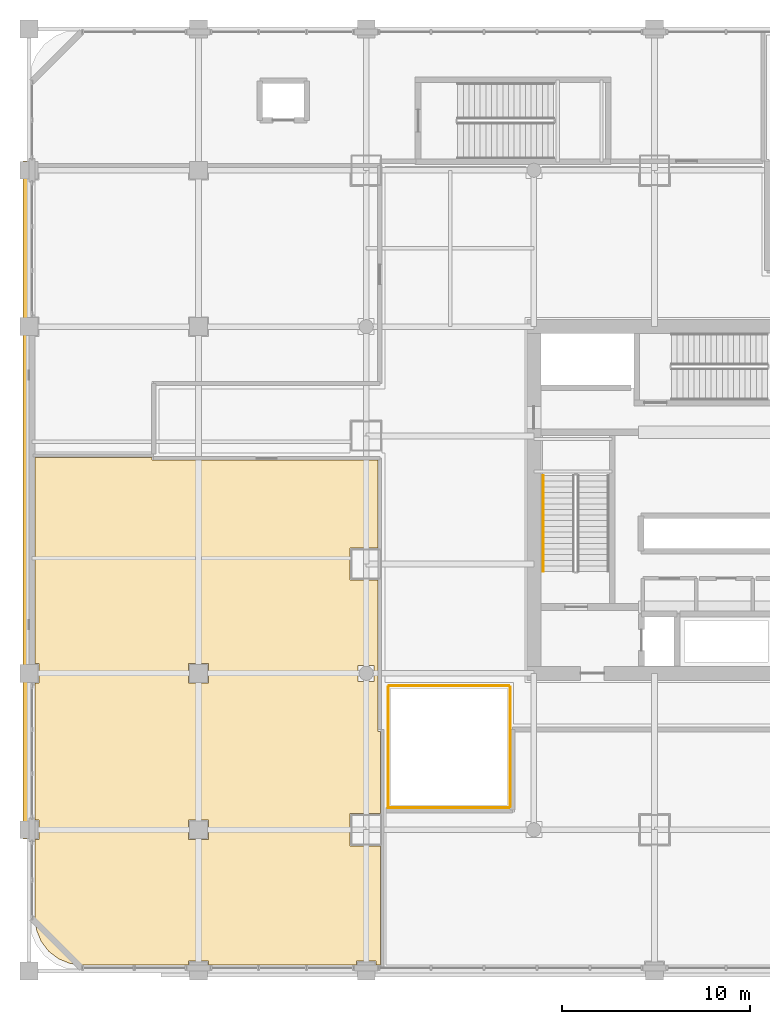
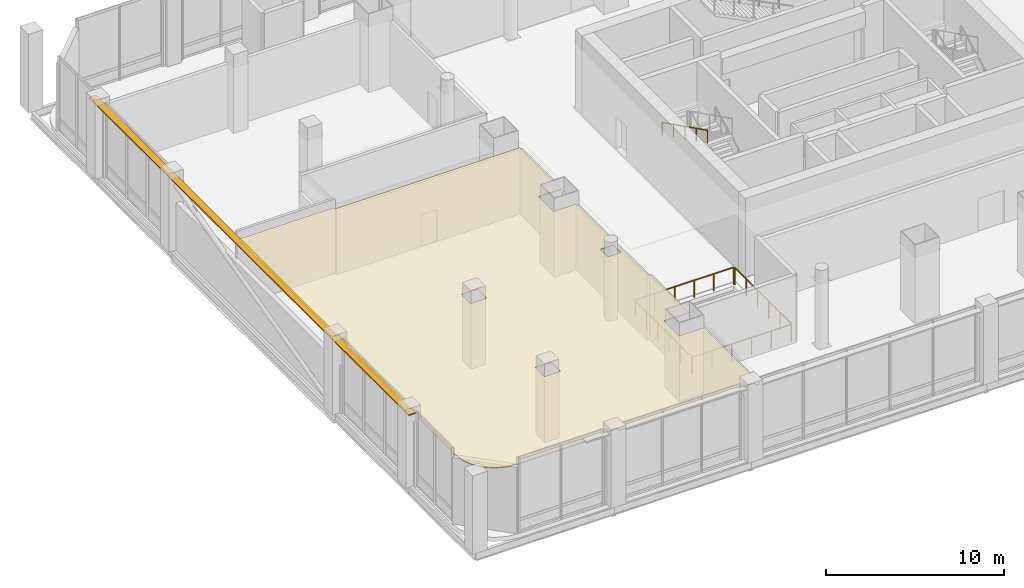
# One storey, part 30 of 39: 5 railings, 1 covering, 1 shading device.
"""IFC4 building model written with IfcOpenShell, lengths in metres."""

import ifcopenshell
import ifcopenshell.guid

model = None  # the IFC model being written
_history = None  # IfcOwnerHistory: only IFC2X3 demands one
_inside = {}  # id of a spatial element -> (the spatial element, [elements in it])
_under = {}  # id of a project, library or spatial element -> (it, [spatial elements below it])
_declared = {}  # id of a project -> (the project, [libraries it declares])
_typed = {}  # id of a type object -> (the type object, [elements of that type])
_made_of = {}  # id of a material, layer set ... -> (it, [elements and type objects made of it])


def new_model(schema):
    """Start an empty IFC model of exactly this schema.

    Asked for "IFC4X3", IfcOpenShell would pick the latest addendum, in which some entities
    have other attributes; the version numbers below select the first issue.
    IFC2X3 requires an IfcOwnerHistory on every rooted entity: one is made here for all.
    """
    global model, _history
    if schema == "IFC4X3":
        model = ifcopenshell.file(schema_version=(4, 3, 0, 0))
    else:
        model = ifcopenshell.file(schema=schema)
    _inside.clear()
    _under.clear()
    _declared.clear()
    _typed.clear()
    _made_of.clear()
    _history = None
    if model.schema == "IFC2X3":
        org = make("IfcOrganization", Name="unknown")
        user = make(
            "IfcPersonAndOrganization",
            ThePerson=make("IfcPerson", FamilyName="unknown"),
            TheOrganization=org,
        )
        app = make(
            "IfcApplication",
            ApplicationDeveloper=org,
            Version="unknown",
            ApplicationFullName="unknown",
            ApplicationIdentifier="unknown",
        )
        _history = make(
            "IfcOwnerHistory",
            OwningUser=user,
            OwningApplication=app,
            ChangeAction="ADDED",
            CreationDate=0,
        )
    return model


def make(cls, **values):
    """One entity of the class cls with the attributes given. An attribute that is None is left unset."""
    return model.create_entity(
        cls, **{name: value for name, value in values.items() if value is not None}
    )


def rooted(cls, **values):
    """An entity with a GlobalId (a new one), such as an element, a storey or a relation."""
    return make(cls, GlobalId=ifcopenshell.guid.new(), OwnerHistory=_history, **values)


def si_unit(unit_type, name, prefix=None):
    """IfcSIUnit, for example si_unit("LENGTHUNIT", "METRE", prefix="MILLI")."""
    return make("IfcSIUnit", UnitType=unit_type, Prefix=prefix, Name=name)


def assignment(units):
    """IfcUnitAssignment: the units of a project."""
    return None if units is None else make("IfcUnitAssignment", Units=units)


def point(xyz):
    """IfcCartesianPoint."""
    return None if xyz is None else make("IfcCartesianPoint", Coordinates=xyz)


def direction(xyz):
    """IfcDirection."""
    return None if xyz is None else make("IfcDirection", DirectionRatios=xyz)


def frame(location, z_axis=None, x_axis=None):
    """IfcAxis2Placement3D, a coordinate frame: its origin and axes. An axis left out is left unset."""
    return make(
        "IfcAxis2Placement3D",
        Location=point(location),
        Axis=direction(z_axis),
        RefDirection=direction(x_axis),
    )


def frame_2d(location, x_axis=None):
    """IfcAxis2Placement2D, a coordinate frame in the plane: its origin and x axis."""
    return make(
        "IfcAxis2Placement2D", Location=point(location), RefDirection=direction(x_axis)
    )


def origin():
    """The frame at (0, 0, 0) with its axes left unset."""
    return frame((0.0, 0.0, 0.0))


def origin_2d():
    """The frame at (0, 0) in the plane with its x axis left unset."""
    return frame_2d((0.0, 0.0))


def place(relative_to, where):
    """IfcLocalPlacement: puts the frame where relative to a parent placement (None: the world)."""
    return make(
        "IfcLocalPlacement", PlacementRelTo=relative_to, RelativePlacement=where
    )


def context(
    kind, dimensions, precision=None, world=None, true_north=None, identifier=None
):
    """IfcGeometricRepresentationContext, for example the 3D "Model" context."""
    return make(
        "IfcGeometricRepresentationContext",
        ContextIdentifier=identifier,
        ContextType=kind,
        CoordinateSpaceDimension=dimensions,
        Precision=precision,
        WorldCoordinateSystem=world,
        TrueNorth=true_north,
    )


def subcontext(parent, identifier, kind, view, scale=None):
    """IfcGeometricRepresentationSubContext, for example "Body" below "Model"."""
    return make(
        "IfcGeometricRepresentationSubContext",
        ContextIdentifier=identifier,
        ContextType=kind,
        ParentContext=parent,
        TargetScale=scale,
        TargetView=view,
    )


def project(units=None, contexts=None):
    """IfcProject with its units and contexts."""
    return rooted(
        "IfcProject",
        Name="project",
        RepresentationContexts=contexts,
        UnitsInContext=assignment(units),
    )


def spatial(cls, under=None, at=None, **own):
    """A site, building, storey or space (cls), placed at a placement, below another one or the project."""
    s = rooted(cls, ObjectPlacement=at, **own)
    if under is not None:
        _under.setdefault(under.id(), (under, []))[1].append(s)
    return s


def polyline(points):
    """IfcPolyline through the points."""
    return make("IfcPolyline", Points=[point(p) for p in points])


def profile(cls, at=None, kind="AREA", **sizes):
    """A parametric profile (cls). Its sizes go by their IFC names, for example OverallWidth=200.0."""
    return make(cls, ProfileType=kind, Position=at, **sizes)


def rectangle(**sizes):
    """IfcRectangleProfileDef."""
    return profile("IfcRectangleProfileDef", **sizes)


def circle(**sizes):
    """IfcCircleProfileDef."""
    return profile("IfcCircleProfileDef", **sizes)


def outline(outer, holes=None, kind="AREA"):
    """IfcArbitraryClosedProfileDef: a profile drawn as a closed curve; with holes, ...WithVoids."""
    if holes is None:
        return make("IfcArbitraryClosedProfileDef", ProfileType=kind, OuterCurve=outer)
    return make(
        "IfcArbitraryProfileDefWithVoids",
        ProfileType=kind,
        OuterCurve=outer,
        InnerCurves=holes,
    )


def extrude(swept, where, along, depth):
    """IfcExtrudedAreaSolid: the profile swept, set in the frame where, extruded along a direction by depth."""
    return make(
        "IfcExtrudedAreaSolid",
        SweptArea=swept,
        Position=where,
        ExtrudedDirection=direction(along),
        Depth=depth,
    )


def shape(context_of_items, identifier, shape_type, items):
    """IfcShapeRepresentation: the items that make up one representation, for example the "Body"."""
    return make(
        "IfcShapeRepresentation",
        ContextOfItems=context_of_items,
        RepresentationIdentifier=identifier,
        RepresentationType=shape_type,
        Items=items,
    )


def material(Name=None, Category=None):
    """IfcMaterial."""
    return make("IfcMaterial", Name=Name, Category=Category)


def layer(
    of_material, thickness, ventilated=None, Name=None, Category=None, Priority=None
):
    """IfcMaterialLayer: one layer of a wall or slab, of a material (None: an air gap)."""
    return make(
        "IfcMaterialLayer",
        Material=of_material,
        LayerThickness=thickness,
        IsVentilated=ventilated,
        Name=Name,
        Category=Category,
        Priority=Priority,
    )


def layer_set(layers, Name=None):
    """IfcMaterialLayerSet."""
    return make("IfcMaterialLayerSet", MaterialLayers=layers, LayerSetName=Name)


def material_profile(
    of_material, cross_section, Name=None, Category=None, Priority=None
):
    """IfcMaterialProfile: a cross section and its material."""
    return make(
        "IfcMaterialProfile",
        Name=Name,
        Material=of_material,
        Profile=cross_section,
        Priority=Priority,
        Category=Category,
    )


def profile_set(profiles, Name=None, composite=None):
    """IfcMaterialProfileSet."""
    return make(
        "IfcMaterialProfileSet",
        Name=Name,
        MaterialProfiles=profiles,
        CompositeProfile=composite,
    )


def made_of(thing, what):
    """Note that an element or type object is made of a material, layer set ...; save() writes the relation."""
    if what is not None:
        _made_of.setdefault(what.id(), (what, []))[1].append(thing)
    return thing


def type_object(cls, material=None, **own):
    """A type object (cls), such as IfcWallType, which elements share."""
    return made_of(rooted(cls, **own), material)


def element(
    cls,
    number,
    at=None,
    inside=None,
    cuts=None,
    type_object=None,
    material=None,
    context=None,
    identifier="Body",
    shape_type=None,
    held_by="IfcProductDefinitionShape",
    body=None,
    shapes=None,
    **own,
):
    """One element of the class cls, such as IfcWall. Its Tag is "e" and its number.

    at: its placement. inside: the storey or other place that contains it. cuts: it is an
    opening in that element (IfcRelVoidsElement). A single representation is given by context,
    identifier, shape_type and body (its items); several are given by shapes. held_by: the class
    of the entity that holds the representations. save() writes the other relations.
    """
    e = rooted(cls, Tag="e%d" % number, ObjectPlacement=at, **own)
    if body is not None:
        shapes = [shape(context, identifier, shape_type, body)]
    if shapes is not None:
        e.Representation = make(held_by, Representations=shapes)
    if inside is not None:
        _inside.setdefault(inside.id(), (inside, []))[1].append(e)
    if cuts is not None:
        rooted(
            "IfcRelVoidsElement", RelatingBuildingElement=cuts, RelatedOpeningElement=e
        )
    if type_object is not None:
        _typed.setdefault(type_object.id(), (type_object, []))[1].append(e)
    return made_of(e, material)


def aggregate(whole, parts):
    """IfcRelAggregates: a whole, such as a stair, and the parts it consists of."""
    return rooted("IfcRelAggregates", RelatingObject=whole, RelatedObjects=parts)


def save(model, path):
    """Write the relations noted so far, then the file.

    IfcRelAggregates (storeys below a building ...), IfcRelContainedInSpatialStructure (elements
    in a storey), IfcRelDefinesByType, IfcRelAssociatesMaterial and IfcRelDeclares: one each for
    every whole, place, type object, material and project.
    """
    for whole, parts in _under.values():
        aggregate(whole, parts)
    for where, things in _inside.values():
        rooted(
            "IfcRelContainedInSpatialStructure",
            RelatedElements=things,
            RelatingStructure=where,
        )
    for kind, things in _typed.values():
        rooted("IfcRelDefinesByType", RelatedObjects=things, RelatingType=kind)
    for what, things in _made_of.values():
        rooted("IfcRelAssociatesMaterial", RelatedObjects=things, RelatingMaterial=what)
    for by, libraries in _declared.values():
        rooted("IfcRelDeclares", RelatingContext=by, RelatedDefinitions=libraries)
    model.write(path)


model = new_model("IFC4")

# Units and contexts
model_context = context("Model", 3, precision=1e-05, world=origin(), true_north=direction((0.0, 1.0)))
body_context = subcontext(model_context, "Body", "Model", "MODEL_VIEW")
ifc_project = project(units=[si_unit("LENGTHUNIT", "METRE"), si_unit("AREAUNIT", "SQUARE_METRE"), si_unit("VOLUMEUNIT", "CUBIC_METRE"), si_unit("PLANEANGLEUNIT", "RADIAN"), si_unit("MASSUNIT", "GRAM", prefix="KILO")], contexts=[model_context])

# Site, building, storey
site_placement = place(None, origin())
site = spatial("IfcSite", under=ifc_project, at=site_placement, CompositionType="ELEMENT")
building_placement = place(site_placement, origin())
building = spatial("IfcBuilding", under=site, at=building_placement, Name="Punatoya Terracotta Tower", CompositionType="ELEMENT")
storey_placement = place(building_placement, frame((0.0, 0.0, 11.39990234375)))
storey = spatial("IfcBuildingStorey", under=building, at=storey_placement, Name="L02", CompositionType="ELEMENT", Elevation=11.39990234375)

# Covering
ifc_material_1 = material(Name="Acoustic Mineral Fibre Ceiling")
ifc_layer = layer(ifc_material_1, 0.06005859375)
ifc_layer_set = layer_set([ifc_layer], Name="Acoustic Mineral Fibre Ceiling")
covering_type = type_object("IfcCoveringType", Name="COV-CEIL-60", PredefinedType="CEILING", material=ifc_layer_set)
covering_placement = place(storey_placement, frame((0.0, 0.0, 4.510009765625)))
element("IfcCovering", 1, at=covering_placement, inside=storey, type_object=covering_type, Name="L02 West Dishwashing and Servery Pantry Acoustic Ceiling", PredefinedType="CEILING", context=body_context, shape_type="SweptSolid", body=[
    extrude(outline(polyline([(-36.47509765625, -16.97509765625), (-36.47509765625, -18.02490234375), (-36.679931640625, -18.02490234375), (-36.679931640625, -22.178955078125), (-36.5927734375, -22.84130859375), (-36.345458984375, -23.438720703125), (-35.95166015625, -23.95166015625), (-35.438720703125, -24.345458984375), (-34.84130859375, -24.5927734375), (-34.178955078125, -24.679931640625), (-28.52490234375, -24.679931640625), (-28.52490234375, -24.47509765625), (-27.47509765625, -24.47509765625), (-27.47509765625, -24.679931640625), (-19.625, -24.679931640625), (-19.625, -24.47509765625), (-18.574951171875, -24.47509765625), (-18.574951171875, -24.679931640625), (-18.340087890625, -24.679931640625), (-18.340087890625, -18.35009765625), (-19.949951171875, -18.35009765625), (-19.949951171875, -16.64990234375), (-18.340087890625, -16.64990234375), (-18.340087890625, -12.280029296875), (-18.47998046875, -12.280029296875), (-18.47998046875, -4.25), (-19.949951171875, -4.25), (-19.949951171875, -2.550048828125), (-18.47998046875, -2.550048828125), (-18.47998046875, 2.1201171875), (-30.47998046875, 2.1201171875), (-30.47998046875, 2.260009765625), (-36.679931640625, 2.260009765625), (-36.679931640625, -8.675048828125), (-36.47509765625, -8.675048828125), (-36.47509765625, -9.72509765625), (-36.679931640625, -9.72509765625), (-36.679931640625, -16.97509765625), (-36.47509765625, -16.97509765625)]), holes=[polyline([(-19.52490234375, -9.625), (-19.52490234375, -8.77490234375), (-18.675048828125, -8.77490234375), (-18.675048828125, -9.625), (-19.52490234375, -9.625)]), polyline([(-28.52490234375, -16.97509765625), (-27.47509765625, -16.97509765625), (-27.47509765625, -18.02490234375), (-28.52490234375, -18.02490234375), (-28.52490234375, -16.97509765625)]), polyline([(-28.52490234375, -9.72509765625), (-28.52490234375, -8.675048828125), (-27.47509765625, -8.675048828125), (-27.47509765625, -9.72509765625), (-28.52490234375, -9.72509765625)])]), origin(), (0.0, 0.0, 1.0), 0.06005859375),
])

# Railings
ifc_material_2 = material(Name="Steel S355", Category="steel")
railing_type_1 = type_object("IfcRailingType", Name="RLG-BAL-1200", PredefinedType="BALUSTRADE", material=ifc_material_2)
railing_1_placement = place(storey_placement, frame((-17.93994140625, -16.340087890625, 0.0)))
element("IfcRailing", 2, at=railing_1_placement, inside=storey, type_object=railing_type_1, Name="L02 Podium Atrium S Balustrade", PredefinedType="BALUSTRADE", context=body_context, shape_type="SweptSolid", body=[
    extrude(circle(Radius=0.02392578125, at=origin_2d()), frame((0.0, 0.0, 1.17578125), z_axis=(1.0, 0.0, 0.0), x_axis=(0.0, 1.0, 0.0)), (0.0, 0.0, 1.0), 6.419921875),
    extrude(circle(Radius=0.02099609375, at=origin_2d()), origin(), (0.0, 0.0, 1.0), 1.15185546875),
    extrude(circle(Radius=0.02099609375, at=origin_2d()), frame((1.283935546875, 0.0, 0.0)), (0.0, 0.0, 1.0), 1.15185546875),
    extrude(circle(Radius=0.02099609375, at=origin_2d()), frame((2.56787109375, 0.0, 0.0)), (0.0, 0.0, 1.0), 1.15185546875),
    extrude(circle(Radius=0.02099609375, at=origin_2d()), frame((3.85205078125, 0.0, 0.0)), (0.0, 0.0, 1.0), 1.15185546875),
    extrude(circle(Radius=0.02099609375, at=origin_2d()), frame((5.135986328125, 0.0, 0.0)), (0.0, 0.0, 1.0), 1.15185546875),
    extrude(circle(Radius=0.02099609375, at=origin_2d()), frame((6.419921875, 0.0, 0.0)), (0.0, 0.0, 1.0), 1.15185546875),
])
railing_2_placement = place(storey_placement, frame((-11.4599609375, -16.280029296875, 0.0)))
element("IfcRailing", 3, at=railing_2_placement, inside=storey, type_object=railing_type_1, Name="L02 Podium Atrium E Balustrade", PredefinedType="BALUSTRADE", context=body_context, shape_type="SweptSolid", body=[
    extrude(circle(Radius=0.02392578125, at=origin_2d()), frame((0.0, 0.0, 1.17578125), z_axis=(0.0, 1.0, 0.0), x_axis=(-1.0, 0.0, 0.0)), (0.0, 0.0, 1.0), 6.360107421875),
    extrude(circle(Radius=0.02099609375, at=origin_2d()), origin(), (0.0, 0.0, 1.0), 1.15185546875),
    extrude(circle(Radius=0.02099609375, at=origin_2d()), frame((0.0, 1.27197265625, 0.0)), (0.0, 0.0, 1.0), 1.15185546875),
    extrude(circle(Radius=0.02099609375, at=origin_2d()), frame((0.0, 2.5439453125, 0.0)), (0.0, 0.0, 1.0), 1.15185546875),
    extrude(circle(Radius=0.02099609375, at=origin_2d()), frame((0.0, 3.816162109375, 0.0)), (0.0, 0.0, 1.0), 1.15185546875),
    extrude(circle(Radius=0.02099609375, at=origin_2d()), frame((0.0, 5.088134765625, 0.0)), (0.0, 0.0, 1.0), 1.15185546875),
    extrude(circle(Radius=0.02099609375, at=origin_2d()), frame((0.0, 6.360107421875, 0.0)), (0.0, 0.0, 1.0), 1.15185546875),
])
railing_3_placement = place(storey_placement, frame((-11.52001953125, -9.860107421875, 0.0)))
element("IfcRailing", 4, at=railing_3_placement, inside=storey, type_object=railing_type_1, Name="L02 Podium Atrium N Balustrade", PredefinedType="BALUSTRADE", context=body_context, shape_type="SweptSolid", body=[
    extrude(circle(Radius=0.02392578125, at=origin_2d()), frame((0.0, 0.0, 1.17578125), z_axis=(-1.0, 0.0, 0.0), x_axis=(0.0, -1.0, 0.0)), (0.0, 0.0, 1.0), 6.35986328125),
    extrude(circle(Radius=0.02099609375, at=origin_2d()), origin(), (0.0, 0.0, 1.0), 1.15185546875),
    extrude(circle(Radius=0.02099609375, at=origin_2d()), frame((-1.27197265625, 0.0, 0.0)), (0.0, 0.0, 1.0), 1.15185546875),
    extrude(circle(Radius=0.02099609375, at=origin_2d()), frame((-2.5439453125, 0.0, 0.0)), (0.0, 0.0, 1.0), 1.15185546875),
    extrude(circle(Radius=0.02099609375, at=origin_2d()), frame((-3.81591796875, 0.0, 0.0)), (0.0, 0.0, 1.0), 1.15185546875),
    extrude(circle(Radius=0.02099609375, at=origin_2d()), frame((-5.087890625, 0.0, 0.0)), (0.0, 0.0, 1.0), 1.15185546875),
    extrude(circle(Radius=0.02099609375, at=origin_2d()), frame((-6.35986328125, 0.0, 0.0)), (0.0, 0.0, 1.0), 1.15185546875),
])
railing_4_placement = place(storey_placement, frame((-17.93994140625, -9.919921875, 0.0)))
element("IfcRailing", 5, at=railing_4_placement, inside=storey, type_object=railing_type_1, Name="L02 Podium Atrium W Balustrade", PredefinedType="BALUSTRADE", context=body_context, shape_type="SweptSolid", body=[
    extrude(circle(Radius=0.02392578125, at=origin_2d()), frame((0.0, 0.0, 1.17578125), z_axis=(0.0, -1.0, 0.0), x_axis=(1.0, 0.0, 0.0)), (0.0, 0.0, 1.0), 6.360107421875),
    extrude(circle(Radius=0.02099609375, at=origin_2d()), origin(), (0.0, 0.0, 1.0), 1.15185546875),
    extrude(circle(Radius=0.02099609375, at=origin_2d()), frame((0.0, -1.27197265625, 0.0)), (0.0, 0.0, 1.0), 1.15185546875),
    extrude(circle(Radius=0.02099609375, at=origin_2d()), frame((0.0, -2.5439453125, 0.0)), (0.0, 0.0, 1.0), 1.15185546875),
    extrude(circle(Radius=0.02099609375, at=origin_2d()), frame((0.0, -3.816162109375, 0.0)), (0.0, 0.0, 1.0), 1.15185546875),
    extrude(circle(Radius=0.02099609375, at=origin_2d()), frame((0.0, -5.088134765625, 0.0)), (0.0, 0.0, 1.0), 1.15185546875),
    extrude(circle(Radius=0.02099609375, at=origin_2d()), frame((0.0, -6.360107421875, 0.0)), (0.0, 0.0, 1.0), 1.15185546875),
])
railing_type_2 = type_object("IfcRailingType", Name="RLG-HND-900", PredefinedType="HANDRAIL", material=ifc_material_2)
railing_5_placement = place(storey_placement, frame((-9.699951171875, 1.300048828125, 2.85009765625)))
element("IfcRailing", 6, at=railing_5_placement, inside=storey, type_object=railing_type_2, Name="L02 ST-1 stair handrail 2", PredefinedType="HANDRAIL", context=body_context, shape_type="SweptSolid", body=[
    extrude(circle(Radius=0.02392578125, at=origin_2d()), frame((0.0, 0.0, 0.8759765625), z_axis=(0.0, -0.894427191, 0.4472135955), x_axis=(1.0, 0.0, 0.0)), (0.0, 0.0, 1.0), 5.7021484375),
    extrude(circle(Radius=0.02099609375, at=origin_2d()), origin(), (0.0, 0.0, 1.0), 0.851806640625),
    extrude(circle(Radius=0.02099609375, at=origin_2d()), frame((0.0, -1.27490234375, 0.637451171875)), (0.0, 0.0, 1.0), 0.851806640625),
    extrude(circle(Radius=0.02099609375, at=origin_2d()), frame((0.0, -2.550048828125, 1.27490234375)), (0.0, 0.0, 1.0), 0.851806640625),
    extrude(circle(Radius=0.02099609375, at=origin_2d()), frame((0.0, -3.8251953125, 1.91259765625)), (0.0, 0.0, 1.0), 0.851806640625),
    extrude(circle(Radius=0.02099609375, at=origin_2d()), frame((0.0, -5.10009765625, 2.550048828125)), (0.0, 0.0, 1.0), 0.851806640625),
])

# Shading device
ifc_material_3 = material(Name="Architectural Fired Terracotta", Category="masonry")
ifc_material_profile = material_profile(ifc_material_3, rectangle(XDim=0.449951171875, YDim=0.080078125, at=origin_2d()))
ifc_profile_set = profile_set([ifc_material_profile], Name="Architectural Fired Terracotta")
shading_device_type = type_object("IfcShadingDeviceType", Name="SHD-CHAJ-450", PredefinedType="USERDEFINED", material=ifc_profile_set)
shading_device_placement = place(storey_placement, frame((-37.090087890625, -18.0, 4.97021484375), z_axis=(0.0, 1.0, 0.0), x_axis=(-1.0, 0.0, 0.0)))
element("IfcShadingDevice", 7, at=shading_device_placement, inside=storey, type_object=shading_device_type, Name="L02 Projecting Terracotta Chhajja Sunshade 2", ObjectType="SUNSHADE", PredefinedType="USERDEFINED", context=body_context, shape_type="SweptSolid", body=[
    extrude(rectangle(XDim=0.449951171875, YDim=0.080078125, at=origin_2d()), origin(), (0.0, 0.0, 1.0), 36.0),
])

save(model, "model.ifc")
